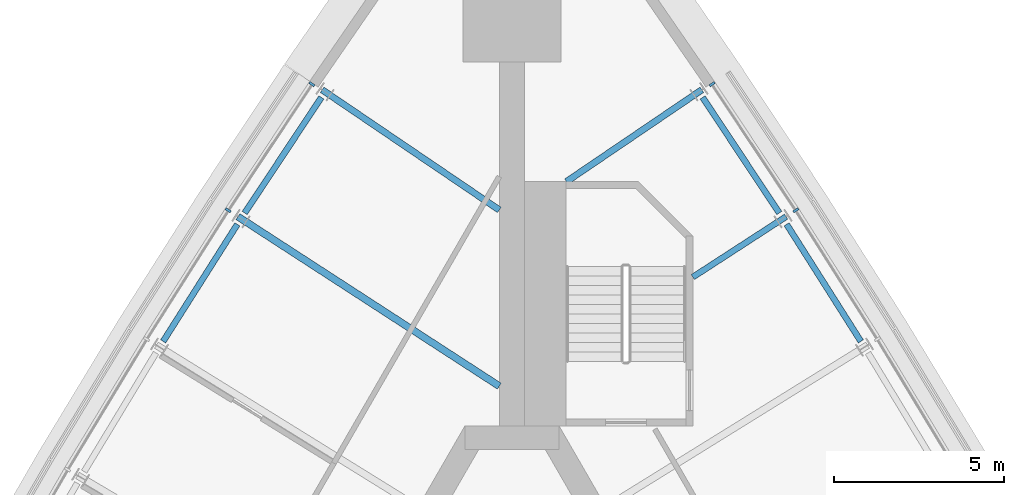
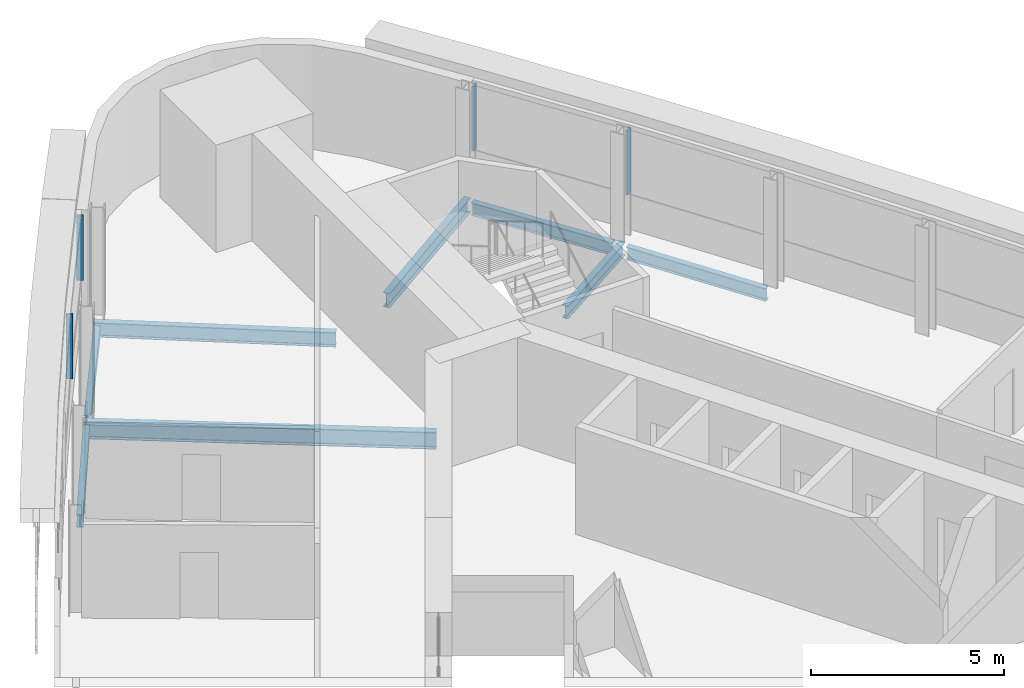
# One storey, part 6 of 12: 8 beams, 4 members, 2 elements without a shape of their own.
"""IFC4 building model written with IfcOpenShell, lengths in metres."""

from ifc_helpers import new_model, si_unit, direction, frame, origin, origin_2d, place, context, subcontext, project, spatial, rectangle, i_section, extrude, material, material_profile, profile_set, type_object, element, aggregate, save


model = new_model("IFC4")

# Units and contexts
model_context = context("Model", 3, precision=1e-05, world=origin(), true_north=direction((0.0, 1.0)))
body_context = subcontext(model_context, "Body", "Model", "MODEL_VIEW")
ifc_project = project(units=[si_unit("LENGTHUNIT", "METRE"), si_unit("AREAUNIT", "SQUARE_METRE"), si_unit("VOLUMEUNIT", "CUBIC_METRE"), si_unit("PLANEANGLEUNIT", "RADIAN"), si_unit("MASSUNIT", "GRAM", prefix="KILO")], contexts=[model_context])

# Site, building, storey
site_placement = place(None, origin())
site = spatial("IfcSite", under=ifc_project, at=site_placement, CompositionType="ELEMENT")
building_placement = place(site_placement, origin())
building = spatial("IfcBuilding", under=site, at=building_placement, Name="Noor Cloister Tower", CompositionType="ELEMENT")
storey_placement = place(building_placement, frame((0.0, 0.0, 154.5)))
storey = spatial("IfcBuildingStorey", under=building, at=storey_placement, Name="L39", CompositionType="ELEMENT", Elevation=154.5)

# Curtain wall, members
ifc_material_1 = material(Name="Aluminium 6063-T6 anodised", Category="aluminium")
curtain_wall_type = type_object("IfcCurtainWallType", Name="Ribbon curtain wall, upper tower CW5", PredefinedType="NOTDEFINED", material=ifc_material_1)
curtain_wall_1_placement = place(storey_placement, origin())
curtain_wall_1 = element("IfcCurtainWall", 1, at=curtain_wall_1_placement, inside=storey, type_object=curtain_wall_type, Name="CW5 L39 NW run 1", PredefinedType="NOTDEFINED")
ifc_material_2 = material(Name="Aluminium 6063-T6 anodised", Category="aluminium")
ifc_material_profile_1 = material_profile(ifc_material_2, rectangle(XDim=0.179931640625, YDim=0.070068359375, at=origin_2d()), Name="180 x 70 mullion")
ifc_profile_set_1 = profile_set([ifc_material_profile_1], Name="Aluminium 6063-T6 anodised")
member_type = type_object("IfcMemberType", Name="Mullion CW5 70 x 180", PredefinedType="MULLION", material=ifc_profile_set_1)
member_1_placement = place(storey_placement, frame((-5.903564453125, 21.531494140625, 1.10009765625), z_axis=(0.0, 0.0, 1.0), x_axis=(0.833278393086, -0.552853614998, 0.0)))
member_1 = element("IfcMember", 2, at=member_1_placement, type_object=member_type, Name="CW5 mullion 1", PredefinedType="MULLION", context=body_context, shape_type="SweptSolid", body=[
    extrude(rectangle(XDim=0.179931640625, YDim=0.070068359375, at=origin_2d()), origin(), (0.0, 0.0, 1.0), 2.0498046875),
])
member_2_placement = place(storey_placement, frame((-8.37158203125, 17.811767578125, 1.10009765625), z_axis=(0.0, 0.0, 1.0), x_axis=(0.838963508619, -0.544187680131, 0.0)))
member_2 = element("IfcMember", 3, at=member_2_placement, type_object=member_type, Name="CW5 mullion 2", PredefinedType="MULLION", context=body_context, shape_type="SweptSolid", body=[
    extrude(rectangle(XDim=0.179931640625, YDim=0.070068359375, at=origin_2d()), origin(), (0.0, 0.0, 1.0), 2.0498046875),
])
aggregate(curtain_wall_1, [member_1, member_2])

curtain_wall_2_placement = place(storey_placement, origin())
curtain_wall_2 = element("IfcCurtainWall", 4, at=curtain_wall_2_placement, inside=storey, type_object=curtain_wall_type, Name="CW5 L39 NE run 3", PredefinedType="NOTDEFINED")
member_3_placement = place(storey_placement, frame((8.37158203125, 17.811767578125, 1.10009765625), z_axis=(0.0, 0.0, 1.0), x_axis=(-0.838963508619, -0.544187680131, 0.0)))
member_3 = element("IfcMember", 5, at=member_3_placement, type_object=member_type, Name="CW5 mullion 7", PredefinedType="MULLION", context=body_context, shape_type="SweptSolid", body=[
    extrude(rectangle(XDim=0.179931640625, YDim=0.070068359375, at=origin_2d()), origin(), (0.0, 0.0, 1.0), 2.0498046875),
])
member_4_placement = place(storey_placement, frame((5.903564453125, 21.531494140625, 1.10009765625), z_axis=(0.0, 0.0, 1.0), x_axis=(-0.833278393086, -0.552853614998, 0.0)))
member_4 = element("IfcMember", 6, at=member_4_placement, type_object=member_type, Name="CW5 mullion 8", PredefinedType="MULLION", context=body_context, shape_type="SweptSolid", body=[
    extrude(rectangle(XDim=0.179931640625, YDim=0.070068359375, at=origin_2d()), origin(), (0.0, 0.0, 1.0), 2.0498046875),
])
aggregate(curtain_wall_2, [member_3, member_4])

# Beams
ifc_material_3 = material(Name="Steel ASTM A992 Gr 50", Category="steel")
ifc_material_profile_2 = material_profile(ifc_material_3, i_section(OverallWidth=0.177978515625, OverallDepth=0.406005859375, WebThickness=0.0078125, FlangeThickness=0.0126953125, FilletRadius=0.01025390625, at=origin_2d()), Name="W410x60")
ifc_profile_set_2 = profile_set([ifc_material_profile_2], Name="Steel ASTM A992 Gr 50")
beam_type_1 = type_object("IfcBeamType", Name="Radial beam W410x60", PredefinedType="BEAM", material=ifc_profile_set_2)
beam_1_placement = place(storey_placement, frame((8.083740234375, 17.625244140625, -0.403076171875), z_axis=(-0.838967724967, -0.544181179814, 0.0), x_axis=(0.544181179814, -0.838967724967, 0.0)))
element("IfcBeam", 7, at=beam_1_placement, inside=storey, type_object=beam_type_1, Name="Radial beam NE 07 L39", PredefinedType="BEAM", context=body_context, shape_type="SweptSolid", body=[
    extrude(i_section(OverallWidth=0.177978515625, OverallDepth=0.406005859375, WebThickness=0.0078125, FlangeThickness=0.0126953125, FilletRadius=0.01025390625, at=origin_2d()), origin(), (0.0, 0.0, 1.0), 3.275390625),
])
ifc_material_4 = material(Name="Steel ASTM A992 Gr 50", Category="steel")
ifc_material_profile_3 = material_profile(ifc_material_4, i_section(OverallWidth=0.19091796875, OverallDepth=0.45703125, WebThickness=0.009033203125, FlangeThickness=0.014404296875, FilletRadius=0.01025390625, at=origin_2d()), Name="W460x74")
ifc_profile_set_3 = profile_set([ifc_material_profile_3], Name="Steel ASTM A992 Gr 50")
beam_type_2 = type_object("IfcBeamType", Name="Radial beam W460x74", PredefinedType="BEAM", material=ifc_profile_set_3)
beam_2_placement = place(storey_placement, frame((-5.60107421875, 21.3671875, -0.428466796875), z_axis=(0.827502715531, -0.561461713556, 0.0), x_axis=(0.561461713556, 0.827502715531, 0.0)))
element("IfcBeam", 8, at=beam_2_placement, inside=storey, type_object=beam_type_2, Name="Radial beam NW 01 L39", PredefinedType="BEAM", context=body_context, shape_type="SweptSolid", body=[
    extrude(i_section(OverallWidth=0.19091796875, OverallDepth=0.45703125, WebThickness=0.009033203125, FlangeThickness=0.014404296875, FilletRadius=0.01025390625, at=origin_2d()), origin(), (0.0, 0.0, 1.0), 6.3154296875),
])
beam_3_placement = place(storey_placement, frame((5.60107421875, 21.3671875, -0.428466796875), z_axis=(-0.827518565707, -0.561438352279, 0.0), x_axis=(0.561438352279, -0.827518565707, 0.0)))
element("IfcBeam", 9, at=beam_3_placement, inside=storey, type_object=beam_type_2, Name="Radial beam NE 08 L39", PredefinedType="BEAM", context=body_context, shape_type="SweptSolid", body=[
    extrude(i_section(OverallWidth=0.19091796875, OverallDepth=0.45703125, WebThickness=0.009033203125, FlangeThickness=0.014404296875, FilletRadius=0.01025390625, at=origin_2d()), origin(), (0.0, 0.0, 1.0), 4.828125),
])
ifc_material_5 = material(Name="Steel ASTM A992 Gr 50", Category="steel")
ifc_material_profile_4 = material_profile(ifc_material_5, i_section(OverallWidth=0.208984375, OverallDepth=0.532958984375, WebThickness=0.01025390625, FlangeThickness=0.015625, FilletRadius=0.0126953125, at=origin_2d()), Name="W530x92")
ifc_profile_set_4 = profile_set([ifc_material_profile_4], Name="Steel ASTM A992 Gr 50")
beam_type_3 = type_object("IfcBeamType", Name="Radial beam W530x92", PredefinedType="BEAM", material=ifc_profile_set_4)
beam_4_placement = place(storey_placement, frame((-8.083740234375, 17.625244140625, -0.466552734375), z_axis=(0.838962270611, -0.544189588738, 0.0), x_axis=(0.544189588738, 0.838962270611, 0.0)))
element("IfcBeam", 10, at=beam_4_placement, inside=storey, type_object=beam_type_3, Name="Radial beam NW 02 L39", PredefinedType="BEAM", context=body_context, shape_type="SweptSolid", body=[
    extrude(i_section(OverallWidth=0.208984375, OverallDepth=0.532958984375, WebThickness=0.01025390625, FlangeThickness=0.015625, FilletRadius=0.0126953125, at=origin_2d()), origin(), (0.0, 0.0, 1.0), 9.1884765625),
])
ifc_material_6 = material(Name="Steel ASTM A992 Gr 50", Category="steel")
ifc_material_profile_5 = material_profile(ifc_material_6, i_section(OverallWidth=0.177978515625, OverallDepth=0.406005859375, WebThickness=0.0078125, FlangeThickness=0.0126953125, FilletRadius=0.01025390625, at=origin_2d()), Name="W410x60")
ifc_profile_set_5 = profile_set([ifc_material_profile_5], Name="Steel ASTM A992 Gr 50")
beam_type_4 = type_object("IfcBeamType", Name="Spandrel beam W410x60", PredefinedType="SPANDREL", material=ifc_profile_set_5)
for number, where, z_axis, x_axis, name in (
    (11, (-5.622802734375, 21.140869140625, -0.403076171875), (-0.552866570624, -0.833269797297, 0.0), (0.833269797297, -0.552866570624, 0.0), "Spandrel beam NW 01 L39"),
    (12, (-8.100830078125, 17.3984375, -0.403076171875), (-0.535445443808, -0.844569817544, 0.0), (0.844569817544, -0.535445443808, 0.0), "Spandrel beam NW 02 L39"),
    (13, (10.29052734375, 13.944580078125, -0.403076171875), (-0.535445443808, 0.844569817544, 0.0), (-0.844569817544, -0.535445443808, 0.0), "Spandrel beam NE 06 L39"),
    (14, (7.8837890625, 17.733154296875, -0.403076171875), (-0.552866570624, 0.833269797297, 0.0), (-0.833269797297, -0.552866570624, 0.0), "Spandrel beam NE 07 L39"),
):
    element("IfcBeam", number, at=place(storey_placement, frame(where, z_axis=z_axis, x_axis=x_axis)), inside=storey, type_object=beam_type_4, Name=name, PredefinedType="SPANDREL", context=body_context, shape_type="SweptSolid", body=[
        extrude(i_section(OverallWidth=0.177978515625, OverallDepth=0.406005859375, WebThickness=0.0078125, FlangeThickness=0.0126953125, FilletRadius=0.01025390625, at=origin_2d()), origin(), (0.0, 0.0, 1.0), 4.089599609375),
    ])

save(model, "model.ifc")
